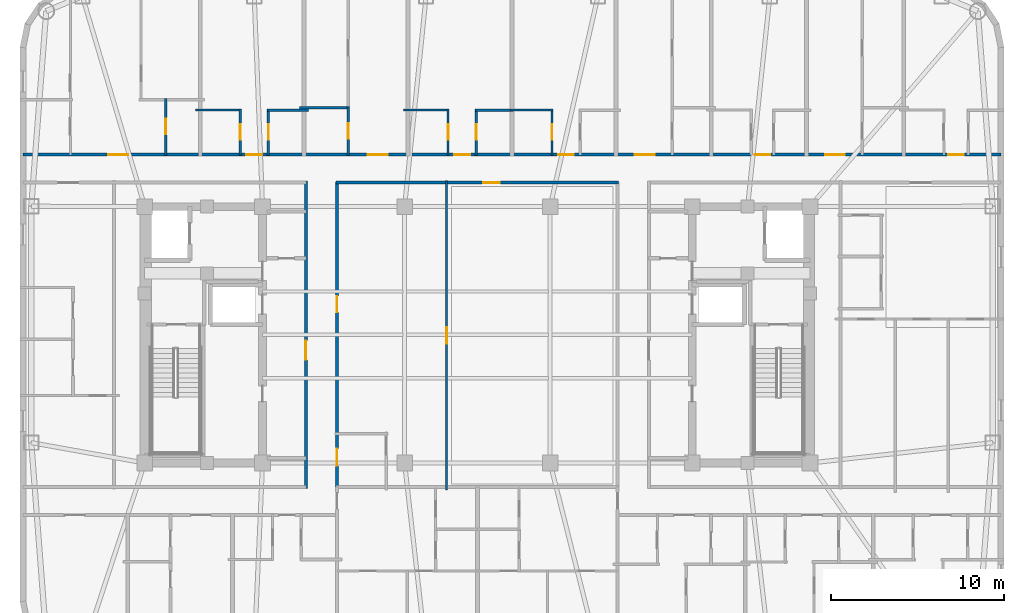
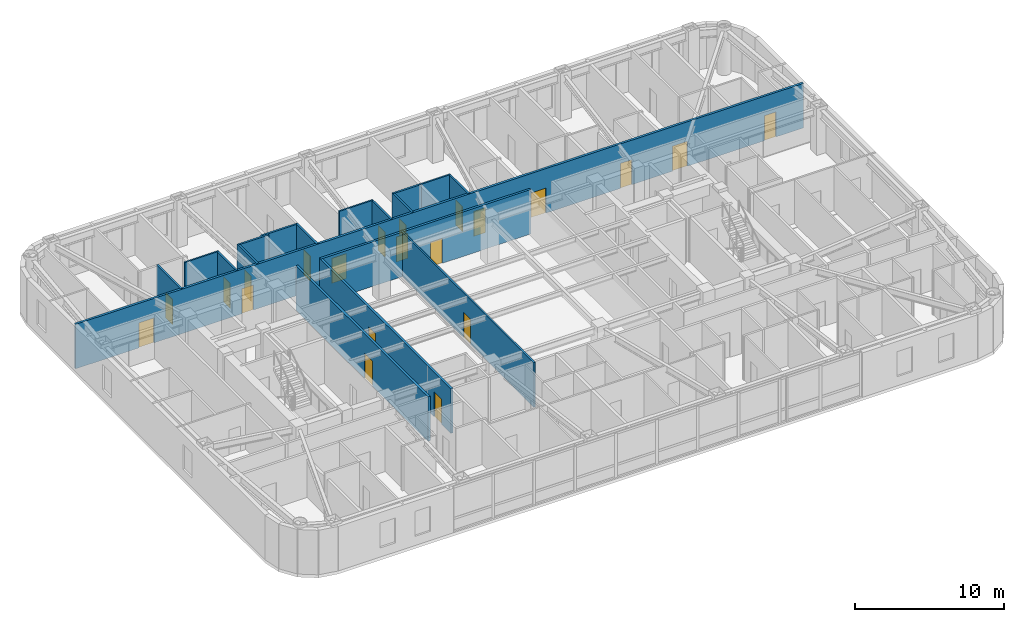
# One storey, part 10 of 16: 21 doors, 18 walls, 21 openings.
"""IFC4 building model written with IfcOpenShell, lengths in metres."""

from ifc_helpers import new_model, si_unit, direction, frame, frame_2d, origin, place, context, subcontext, project, spatial, rectangle, extrude, material, layer, layer_set, type_object, element, fill, save


model = new_model("IFC4")

# Units and contexts
model_context = context("Model", 3, precision=1e-05, world=origin(), true_north=direction((0.0, 1.0)))
body_context = subcontext(model_context, "Body", "Model", "MODEL_VIEW")
ifc_project = project(units=[si_unit("LENGTHUNIT", "METRE"), si_unit("AREAUNIT", "SQUARE_METRE"), si_unit("VOLUMEUNIT", "CUBIC_METRE"), si_unit("PLANEANGLEUNIT", "RADIAN"), si_unit("MASSUNIT", "GRAM", prefix="KILO")], contexts=[model_context])

# Site, building, storey
site_placement = place(None, origin())
site = spatial("IfcSite", under=ifc_project, at=site_placement, CompositionType="ELEMENT")
building_placement = place(site_placement, origin())
building = spatial("IfcBuilding", under=site, at=building_placement, Name="Voryun Gate Residences", CompositionType="ELEMENT")
storey_placement = place(building_placement, frame((0.0, 0.0, 208.0)))
storey = spatial("IfcBuildingStorey", under=building, at=storey_placement, Name="L51", CompositionType="ELEMENT", Elevation=208.0)

# Wall, opening, door
ifc_material_1 = material(Name="Gypsum acoustic fireboard")
ifc_layer_1 = layer(ifc_material_1, 0.179931640625, Name="W_CORR_RATED_180")
ifc_layer_set_1 = layer_set([ifc_layer_1], Name="Gypsum acoustic fireboard")
wall_type_1 = type_object("IfcWallType", Name="W_CORR_RATED_180", PredefinedType="PARTITIONING", material=ifc_layer_set_1)
wall_1_placement = place(storey_placement, frame((-9.89990234375, -8.8798828125, 0.0), z_axis=(0.0, 0.0, 1.0), x_axis=(0.0, 1.0, 0.0)))
wall_1 = element("IfcWall", 1, at=wall_1_placement, inside=storey, type_object=wall_type_1, Name="Partition wall WP-L51-PLBW-FULL", PredefinedType="PARTITIONING", context=body_context, shape_type="SweptSolid", body=[
    extrude(rectangle(XDim=17.759765625, YDim=0.179931640625, at=frame_2d((8.8798828125, 0.0))), origin(), (0.0, 0.0, 1.0), 3.64990234375),
])
opening_1_placement = place(wall_1_placement, frame((7.44189453125, 0.0, 0.0)))
opening_1 = element("IfcOpeningElement", 2, at=opening_1_placement, cuts=wall_1, Name="Opening D-FD60-2", PredefinedType="OPENING", context=body_context, shape_type="SweptSolid", body=[
    extrude(rectangle(XDim=1.10009765625, YDim=2.050048828125, at=frame_2d((0.550048828125, 1.02490234375))), frame((0.0, 0.099853515625, 0.0), z_axis=(0.0, -1.0, 0.0), x_axis=(1.0, 0.0, 0.0)), (0.0, 0.0, 1.0), 0.199951171875),
])
ifc_material_2 = material(Name="Painted steel fire door", Category="steel")
door_type_1 = type_object("IfcDoorType", Name="DR_FD60_FFLOB_1100", OperationType="NOTDEFINED", PredefinedType="DOOR", material=ifc_material_2)
door_1_placement = place(opening_1_placement, origin())
door_1 = element("IfcDoor", 3, at=door_1_placement, inside=storey, type_object=door_type_1, Name="Door DR-L51-PLBW-COR", OperationType="SINGLE_SWING_LEFT", OverallHeight=2.050048828125, OverallWidth=1.10009765625, PredefinedType="DOOR", context=body_context, shape_type="SweptSolid", body=[
    extrude(rectangle(XDim=1.10009765625, YDim=2.050048828125, at=frame_2d((0.550048828125, 1.02490234375))), frame((0.0, 0.02490234375, 0.0), z_axis=(0.0, -1.0, 0.0), x_axis=(1.0, 0.0, 0.0)), (0.0, 0.0, 1.0), 0.050048828125),
])
fill(opening_1, door_1)

wall_2_placement = place(storey_placement, frame((-8.14990234375, 8.7900390625, 0.0), z_axis=(0.0, 0.0, 1.0), x_axis=(1.0, 0.0, 0.0)))
wall_2 = element("IfcWall", 4, at=wall_2_placement, inside=storey, type_object=wall_type_1, Name="Partition wall WP-L51-Z3N", PredefinedType="PARTITIONING", context=body_context, shape_type="SweptSolid", body=[
    extrude(rectangle(XDim=16.2998046875, YDim=0.179931640625, at=frame_2d((8.14990234375, 0.0))), origin(), (0.0, 0.0, 1.0), 3.64990234375),
])
opening_2_placement = place(wall_2_placement, frame((8.489990234375, 0.0, 0.0)))
opening_2 = element("IfcOpeningElement", 5, at=opening_2_placement, cuts=wall_2, Name="Opening D-INT-1", PredefinedType="OPENING", context=body_context, shape_type="SweptSolid", body=[
    extrude(rectangle(XDim=0.949951171875, YDim=2.050048828125, at=frame_2d((0.47509765625, 1.02490234375))), frame((0.0, 0.099853515625, 0.0), z_axis=(0.0, -1.0, 0.0), x_axis=(1.0, 0.0, 0.0)), (0.0, 0.0, 1.0), 0.199951171875),
])
ifc_material_3 = material(Name="Architectural oak veneer")
door_type_2 = type_object("IfcDoorType", Name="DR_INT_ROOM_950", OperationType="NOTDEFINED", PredefinedType="DOOR", material=ifc_material_3)
door_2_placement = place(opening_2_placement, origin())
door_2 = element("IfcDoor", 6, at=door_2_placement, inside=storey, type_object=door_type_2, Name="Door DR-L51-CMIDZ3N", OperationType="SINGLE_SWING_LEFT", OverallHeight=2.050048828125, OverallWidth=0.949951171875, PredefinedType="DOOR", context=body_context, shape_type="SweptSolid", body=[
    extrude(rectangle(XDim=0.949951171875, YDim=2.050048828125, at=frame_2d((0.47509765625, 1.02490234375))), frame((0.0, 0.02490234375, 0.0), z_axis=(0.0, -1.0, 0.0), x_axis=(1.0, 0.0, 0.0)), (0.0, 0.0, 1.0), 0.050048828125),
])
fill(opening_2, door_2)

# Wall, openings, doors
wall_3_placement = place(storey_placement, frame((-8.10009765625, -8.830078125, 0.0), z_axis=(0.0, 0.0, 1.0), x_axis=(0.0, 1.0, 0.0)))
wall_3 = element("IfcWall", 7, at=wall_3_placement, inside=storey, type_object=wall_type_1, Name="Partition wall WP-L51-Z3W", PredefinedType="PARTITIONING", context=body_context, shape_type="SweptSolid", body=[
    extrude(rectangle(XDim=17.66015625, YDim=0.179931640625, at=frame_2d((8.830078125, 0.0))), origin(), (0.0, 0.0, 1.0), 3.64990234375),
])
opening_3_placement = place(wall_3_placement, frame((1.26611328125, 0.0, 0.0)))
opening_3 = element("IfcOpeningElement", 8, at=opening_3_placement, cuts=wall_3, Name="Opening D-AWC-1", PredefinedType="OPENING", context=body_context, shape_type="SweptSolid", body=[
    extrude(rectangle(XDim=1.0, YDim=2.050048828125, at=frame_2d((0.5, 1.02490234375))), frame((0.0, 0.099853515625, 0.0), z_axis=(0.0, -1.0, 0.0), x_axis=(1.0, 0.0, 0.0)), (0.0, 0.0, 1.0), 0.199951171875),
])
opening_4_placement = place(wall_3_placement, frame((10.12109375, 0.0, 0.0)))
opening_4 = element("IfcOpeningElement", 9, at=opening_4_placement, cuts=wall_3, Name="Opening D-INT-1", PredefinedType="OPENING", context=body_context, shape_type="SweptSolid", body=[
    extrude(rectangle(XDim=0.949951171875, YDim=2.050048828125, at=frame_2d((0.47509765625, 1.02490234375))), frame((0.0, 0.099853515625, 0.0), z_axis=(0.0, -1.0, 0.0), x_axis=(1.0, 0.0, 0.0)), (0.0, 0.0, 1.0), 0.199951171875),
])
ifc_material_4 = material(Name="Architectural oak veneer")
door_type_3 = type_object("IfcDoorType", Name="DR_ACC_WC_1000", OperationType="NOTDEFINED", PredefinedType="DOOR", material=ifc_material_4)
door_3_placement = place(opening_3_placement, origin())
door_3 = element("IfcDoor", 10, at=door_3_placement, inside=storey, type_object=door_type_3, Name="Door DR-L51-CMWC-D", OperationType="SINGLE_SWING_LEFT", OverallHeight=2.050048828125, OverallWidth=1.0, PredefinedType="DOOR", context=body_context, shape_type="SweptSolid", body=[
    extrude(rectangle(XDim=1.0, YDim=2.050048828125, at=frame_2d((0.5, 1.02490234375))), frame((0.0, 0.02490234375, 0.0), z_axis=(0.0, -1.0, 0.0), x_axis=(1.0, 0.0, 0.0)), (0.0, 0.0, 1.0), 0.050048828125),
])
fill(opening_3, door_3)
door_4_placement = place(opening_4_placement, origin())
door_4 = element("IfcDoor", 11, at=door_4_placement, inside=storey, type_object=door_type_2, Name="Door DR-L51-CMIDZ3W", OperationType="SINGLE_SWING_RIGHT", OverallHeight=2.050048828125, OverallWidth=0.949951171875, PredefinedType="DOOR", context=body_context, shape_type="SweptSolid", body=[
    extrude(rectangle(XDim=0.949951171875, YDim=2.050048828125, at=frame_2d((0.47509765625, 1.02490234375))), frame((0.0, 0.02490234375, 0.0), z_axis=(0.0, -1.0, 0.0), x_axis=(1.0, 0.0, 0.0)), (0.0, 0.0, 1.0), 0.050048828125),
])
fill(opening_4, door_4)

wall_4_placement = place(storey_placement, frame((-26.22998046875, 10.39990234375, 0.0), z_axis=(0.0, 0.0, 1.0), x_axis=(1.0, 0.0, 0.0)))
wall_4 = element("IfcWall", 12, at=wall_4_placement, inside=storey, type_object=wall_type_1, Name="Partition wall WP-L51-NCORR", PredefinedType="PARTITIONING", context=body_context, shape_type="SweptSolid", body=[
    extrude(rectangle(XDim=56.4599609375, YDim=0.179931640625, at=frame_2d((28.22998046875, 0.0))), origin(), (0.0, 0.0, 1.0), 3.64990234375),
])
opening_5_placement = place(wall_4_placement, frame((4.918701171875, 0.0, 0.0)))
opening_5 = element("IfcOpeningElement", 13, at=opening_5_placement, cuts=wall_4, Name="Opening D-UNIT-1", PredefinedType="OPENING", context=body_context, shape_type="SweptSolid", body=[
    extrude(rectangle(XDim=1.14990234375, YDim=2.050048828125, at=frame_2d((0.574951171875, 1.02490234375))), frame((0.0, 0.099853515625, 0.0), z_axis=(0.0, -1.0, 0.0), x_axis=(1.0, 0.0, 0.0)), (0.0, 0.0, 1.0), 0.199951171875),
])
opening_6_placement = place(wall_4_placement, frame((12.90283203125, 0.0, 0.0)))
opening_6 = element("IfcOpeningElement", 14, at=opening_6_placement, cuts=wall_4, Name="Opening D-INT-2", PredefinedType="OPENING", context=body_context, shape_type="SweptSolid", body=[
    extrude(rectangle(XDim=0.89990234375, YDim=2.050048828125, at=frame_2d((0.449951171875, 1.02490234375))), frame((0.0, 0.099853515625, 0.0), z_axis=(0.0, -1.0, 0.0), x_axis=(1.0, 0.0, 0.0)), (0.0, 0.0, 1.0), 0.199951171875),
])
opening_7_placement = place(wall_4_placement, frame((19.903076171875, 0.0, 0.0)))
opening_7 = element("IfcOpeningElement", 15, at=opening_7_placement, cuts=wall_4, Name="Opening D-UNIT-1", PredefinedType="OPENING", context=body_context, shape_type="SweptSolid", body=[
    extrude(rectangle(XDim=1.14990234375, YDim=2.050048828125, at=frame_2d((0.574951171875, 1.02490234375))), frame((0.0, 0.099853515625, 0.0), z_axis=(0.0, -1.0, 0.0), x_axis=(1.0, 0.0, 0.0)), (0.0, 0.0, 1.0), 0.199951171875),
])
opening_8_placement = place(wall_4_placement, frame((24.90625, 0.0, 0.0)))
opening_8 = element("IfcOpeningElement", 16, at=opening_8_placement, cuts=wall_4, Name="Opening D-INT-2", PredefinedType="OPENING", context=body_context, shape_type="SweptSolid", body=[
    extrude(rectangle(XDim=0.89990234375, YDim=2.050048828125, at=frame_2d((0.449951171875, 1.02490234375))), frame((0.0, 0.099853515625, 0.0), z_axis=(0.0, -1.0, 0.0), x_axis=(1.0, 0.0, 0.0)), (0.0, 0.0, 1.0), 0.199951171875),
])
opening_9_placement = place(wall_4_placement, frame((30.907958984375, 0.0, 0.0)))
opening_9 = element("IfcOpeningElement", 17, at=opening_9_placement, cuts=wall_4, Name="Opening D-INT-2", PredefinedType="OPENING", context=body_context, shape_type="SweptSolid", body=[
    extrude(rectangle(XDim=0.89990234375, YDim=2.050048828125, at=frame_2d((0.449951171875, 1.02490234375))), frame((0.0, 0.099853515625, 0.0), z_axis=(0.0, -1.0, 0.0), x_axis=(1.0, 0.0, 0.0)), (0.0, 0.0, 1.0), 0.199951171875),
])
opening_10_placement = place(wall_4_placement, frame((35.31103515625, 0.0, 0.0)))
opening_10 = element("IfcOpeningElement", 18, at=opening_10_placement, cuts=wall_4, Name="Opening D-UNIT-1", PredefinedType="OPENING", context=body_context, shape_type="SweptSolid", body=[
    extrude(rectangle(XDim=1.14990234375, YDim=2.050048828125, at=frame_2d((0.574951171875, 1.02490234375))), frame((0.0, 0.099853515625, 0.0), z_axis=(0.0, -1.0, 0.0), x_axis=(1.0, 0.0, 0.0)), (0.0, 0.0, 1.0), 0.199951171875),
])
opening_11_placement = place(wall_4_placement, frame((42.239501953125, 0.0, 0.0)))
opening_11 = element("IfcOpeningElement", 19, at=opening_11_placement, cuts=wall_4, Name="Opening D-INT-2", PredefinedType="OPENING", context=body_context, shape_type="SweptSolid", body=[
    extrude(rectangle(XDim=0.89990234375, YDim=2.050048828125, at=frame_2d((0.449951171875, 1.02490234375))), frame((0.0, 0.099853515625, 0.0), z_axis=(0.0, -1.0, 0.0), x_axis=(1.0, 0.0, 0.0)), (0.0, 0.0, 1.0), 0.199951171875),
])
opening_12_placement = place(wall_4_placement, frame((46.298095703125, 0.0, 0.0)))
opening_12 = element("IfcOpeningElement", 20, at=opening_12_placement, cuts=wall_4, Name="Opening D-UNIT-1", PredefinedType="OPENING", context=body_context, shape_type="SweptSolid", body=[
    extrude(rectangle(XDim=1.14990234375, YDim=2.050048828125, at=frame_2d((0.574951171875, 1.02490234375))), frame((0.0, 0.099853515625, 0.0), z_axis=(0.0, -1.0, 0.0), x_axis=(1.0, 0.0, 0.0)), (0.0, 0.0, 1.0), 0.199951171875),
])
opening_13_placement = place(wall_4_placement, frame((53.41845703125, 0.0, 0.0)))
opening_13 = element("IfcOpeningElement", 21, at=opening_13_placement, cuts=wall_4, Name="Opening D-INT-2", PredefinedType="OPENING", context=body_context, shape_type="SweptSolid", body=[
    extrude(rectangle(XDim=0.89990234375, YDim=2.050048828125, at=frame_2d((0.449951171875, 1.02490234375))), frame((0.0, 0.099853515625, 0.0), z_axis=(0.0, -1.0, 0.0), x_axis=(1.0, 0.0, 0.0)), (0.0, 0.0, 1.0), 0.199951171875),
])
ifc_material_5 = material(Name="Architectural oak veneer")
door_type_4 = type_object("IfcDoorType", Name="DR_INT_BATH_900", OperationType="NOTDEFINED", PredefinedType="DOOR", material=ifc_material_5)
door_5_placement = place(opening_6_placement, origin())
door_5 = element("IfcDoor", 22, at=door_5_placement, inside=storey, type_object=door_type_4, Name="Door DR-L51-NENT-2", OperationType="SINGLE_SWING_RIGHT", OverallHeight=2.050048828125, OverallWidth=0.89990234375, PredefinedType="DOOR", context=body_context, shape_type="SweptSolid", body=[
    extrude(rectangle(XDim=0.89990234375, YDim=2.050048828125, at=frame_2d((0.449951171875, 1.02490234375))), frame((0.0, 0.02490234375, 0.0), z_axis=(0.0, -1.0, 0.0), x_axis=(1.0, 0.0, 0.0)), (0.0, 0.0, 1.0), 0.050048828125),
])
fill(opening_6, door_5)
door_6_placement = place(opening_8_placement, origin())
door_6 = element("IfcDoor", 23, at=door_6_placement, inside=storey, type_object=door_type_4, Name="Door DR-L51-NENT-4", OperationType="SINGLE_SWING_RIGHT", OverallHeight=2.050048828125, OverallWidth=0.89990234375, PredefinedType="DOOR", context=body_context, shape_type="SweptSolid", body=[
    extrude(rectangle(XDim=0.89990234375, YDim=2.050048828125, at=frame_2d((0.449951171875, 1.02490234375))), frame((0.0, 0.02490234375, 0.0), z_axis=(0.0, -1.0, 0.0), x_axis=(1.0, 0.0, 0.0)), (0.0, 0.0, 1.0), 0.050048828125),
])
fill(opening_8, door_6)
door_7_placement = place(opening_9_placement, origin())
door_7 = element("IfcDoor", 24, at=door_7_placement, inside=storey, type_object=door_type_4, Name="Door DR-L51-NENT-5", OperationType="SINGLE_SWING_LEFT", OverallHeight=2.050048828125, OverallWidth=0.89990234375, PredefinedType="DOOR", context=body_context, shape_type="SweptSolid", body=[
    extrude(rectangle(XDim=0.89990234375, YDim=2.050048828125, at=frame_2d((0.449951171875, 1.02490234375))), frame((0.0, 0.02490234375, 0.0), z_axis=(0.0, -1.0, 0.0), x_axis=(1.0, 0.0, 0.0)), (0.0, 0.0, 1.0), 0.050048828125),
])
fill(opening_9, door_7)
door_8_placement = place(opening_11_placement, origin())
door_8 = element("IfcDoor", 25, at=door_8_placement, inside=storey, type_object=door_type_4, Name="Door DR-L51-NENT-7", OperationType="SINGLE_SWING_LEFT", OverallHeight=2.050048828125, OverallWidth=0.89990234375, PredefinedType="DOOR", context=body_context, shape_type="SweptSolid", body=[
    extrude(rectangle(XDim=0.89990234375, YDim=2.050048828125, at=frame_2d((0.449951171875, 1.02490234375))), frame((0.0, 0.02490234375, 0.0), z_axis=(0.0, -1.0, 0.0), x_axis=(1.0, 0.0, 0.0)), (0.0, 0.0, 1.0), 0.050048828125),
])
fill(opening_11, door_8)
door_9_placement = place(opening_13_placement, origin())
door_9 = element("IfcDoor", 26, at=door_9_placement, inside=storey, type_object=door_type_4, Name="Door DR-L51-NENT-9", OperationType="SINGLE_SWING_LEFT", OverallHeight=2.050048828125, OverallWidth=0.89990234375, PredefinedType="DOOR", context=body_context, shape_type="SweptSolid", body=[
    extrude(rectangle(XDim=0.89990234375, YDim=2.050048828125, at=frame_2d((0.449951171875, 1.02490234375))), frame((0.0, 0.02490234375, 0.0), z_axis=(0.0, -1.0, 0.0), x_axis=(1.0, 0.0, 0.0)), (0.0, 0.0, 1.0), 0.050048828125),
])
fill(opening_13, door_9)
ifc_material_6 = material(Name="Armoured timber-clad fire door", Category="wood")
door_type_5 = type_object("IfcDoorType", Name="DR_UNIT_ENTRY_1150", OperationType="NOTDEFINED", PredefinedType="DOOR", material=ifc_material_6)
door_10_placement = place(opening_5_placement, origin())
door_10 = element("IfcDoor", 27, at=door_10_placement, inside=storey, type_object=door_type_5, Name="Door DR-L51-NENT-1", OperationType="SINGLE_SWING_LEFT", OverallHeight=2.050048828125, OverallWidth=1.14990234375, PredefinedType="DOOR", context=body_context, shape_type="SweptSolid", body=[
    extrude(rectangle(XDim=1.14990234375, YDim=2.050048828125, at=frame_2d((0.574951171875, 1.02490234375))), frame((0.0, 0.02490234375, 0.0), z_axis=(0.0, -1.0, 0.0), x_axis=(1.0, 0.0, 0.0)), (0.0, 0.0, 1.0), 0.050048828125),
])
fill(opening_5, door_10)
door_11_placement = place(opening_7_placement, origin())
door_11 = element("IfcDoor", 28, at=door_11_placement, inside=storey, type_object=door_type_5, Name="Door DR-L51-NENT-3", OperationType="SINGLE_SWING_LEFT", OverallHeight=2.050048828125, OverallWidth=1.14990234375, PredefinedType="DOOR", context=body_context, shape_type="SweptSolid", body=[
    extrude(rectangle(XDim=1.14990234375, YDim=2.050048828125, at=frame_2d((0.574951171875, 1.02490234375))), frame((0.0, 0.02490234375, 0.0), z_axis=(0.0, -1.0, 0.0), x_axis=(1.0, 0.0, 0.0)), (0.0, 0.0, 1.0), 0.050048828125),
])
fill(opening_7, door_11)
door_12_placement = place(opening_10_placement, origin())
door_12 = element("IfcDoor", 29, at=door_12_placement, inside=storey, type_object=door_type_5, Name="Door DR-L51-NENT-6", OperationType="SINGLE_SWING_RIGHT", OverallHeight=2.050048828125, OverallWidth=1.14990234375, PredefinedType="DOOR", context=body_context, shape_type="SweptSolid", body=[
    extrude(rectangle(XDim=1.14990234375, YDim=2.050048828125, at=frame_2d((0.574951171875, 1.02490234375))), frame((0.0, 0.02490234375, 0.0), z_axis=(0.0, -1.0, 0.0), x_axis=(1.0, 0.0, 0.0)), (0.0, 0.0, 1.0), 0.050048828125),
])
fill(opening_10, door_12)
door_13_placement = place(opening_12_placement, origin())
door_13 = element("IfcDoor", 30, at=door_13_placement, inside=storey, type_object=door_type_5, Name="Door DR-L51-NENT-8", OperationType="SINGLE_SWING_RIGHT", OverallHeight=2.050048828125, OverallWidth=1.14990234375, PredefinedType="DOOR", context=body_context, shape_type="SweptSolid", body=[
    extrude(rectangle(XDim=1.14990234375, YDim=2.050048828125, at=frame_2d((0.574951171875, 1.02490234375))), frame((0.0, 0.02490234375, 0.0), z_axis=(0.0, -1.0, 0.0), x_axis=(1.0, 0.0, 0.0)), (0.0, 0.0, 1.0), 0.050048828125),
])
fill(opening_12, door_13)

# Wall, opening, door
ifc_material_7 = material(Name="Gypsum acoustic partition")
ifc_layer_2 = layer(ifc_material_7, 0.125, Name="W_UNIT_PART_125")
ifc_layer_set_2 = layer_set([ifc_layer_2], Name="Gypsum acoustic partition")
wall_type_2 = type_object("IfcWallType", Name="W_UNIT_PART_125", PredefinedType="PARTITIONING", material=ifc_layer_set_2)
wall_5_placement = place(storey_placement, frame((-1.77294921875, -8.969970703125, 0.0), z_axis=(0.0, 0.0, 1.0), x_axis=(0.0, 1.0, 0.0)))
wall_5 = element("IfcWall", 31, at=wall_5_placement, inside=storey, type_object=wall_type_2, Name="Partition wall WP-L51-MIDX-0", PredefinedType="PARTITIONING", context=body_context, shape_type="SweptSolid", body=[
    extrude(rectangle(XDim=17.889892578125, YDim=0.125, at=frame_2d((8.94482421875, 0.0))), origin(), (0.0, 0.0, 1.0), 3.64990234375),
])
opening_14_placement = place(wall_5_placement, frame((8.469970703125, 0.0, 0.0)))
opening_14 = element("IfcOpeningElement", 32, at=opening_14_placement, cuts=wall_5, Name="Opening D-INT-1", PredefinedType="OPENING", context=body_context, shape_type="SweptSolid", body=[
    extrude(rectangle(XDim=0.949951171875, YDim=2.050048828125, at=frame_2d((0.47509765625, 1.02490234375))), frame((0.0, 0.072509765625, 0.0), z_axis=(0.0, -1.0, 0.0), x_axis=(1.0, 0.0, 0.0)), (0.0, 0.0, 1.0), 0.14501953125),
])
door_14_placement = place(opening_14_placement, origin())
door_14 = element("IfcDoor", 33, at=door_14_placement, inside=storey, type_object=door_type_2, Name="Door DR-L51-MIDX-0", OperationType="SINGLE_SWING_LEFT", OverallHeight=2.050048828125, OverallWidth=0.949951171875, PredefinedType="DOOR", context=body_context, shape_type="SweptSolid", body=[
    extrude(rectangle(XDim=0.949951171875, YDim=2.050048828125, at=frame_2d((0.47509765625, 1.02490234375))), frame((0.0, 0.02490234375, 0.0), z_axis=(0.0, -1.0, 0.0), x_axis=(1.0, 0.0, 0.0)), (0.0, 0.0, 1.0), 0.050048828125),
])
fill(opening_14, door_14)

wall_6_placement = place(storey_placement, frame((-13.68994140625, 10.3798828125, 0.0), z_axis=(0.0, 0.0, 1.0), x_axis=(0.0, 1.0, 0.0)))
wall_6 = element("IfcWall", 34, at=wall_6_placement, inside=storey, type_object=wall_type_2, Name="Partition wall WP-L51-N2-CVK", PredefinedType="PARTITIONING", context=body_context, shape_type="SweptSolid", body=[
    extrude(rectangle(XDim=2.650146484375, YDim=0.125, at=frame_2d((1.3251953125, 0.0))), origin(), (0.0, 0.0, 1.0), 3.64990234375),
])
opening_15_placement = place(wall_6_placement, frame((0.875, 0.0, 0.0)))
opening_15 = element("IfcOpeningElement", 35, at=opening_15_placement, cuts=wall_6, Name="Opening D-INT-2", PredefinedType="OPENING", context=body_context, shape_type="SweptSolid", body=[
    extrude(rectangle(XDim=0.89990234375, YDim=2.050048828125, at=frame_2d((0.449951171875, 1.02490234375))), frame((0.0, 0.072509765625, 0.0), z_axis=(0.0, -1.0, 0.0), x_axis=(1.0, 0.0, 0.0)), (0.0, 0.0, 1.0), 0.14501953125),
])
door_15_placement = place(opening_15_placement, origin())
door_15 = element("IfcDoor", 36, at=door_15_placement, inside=storey, type_object=door_type_4, Name="Door DR-L51-N2-DK", OperationType="SINGLE_SWING_LEFT", OverallHeight=2.050048828125, OverallWidth=0.89990234375, PredefinedType="DOOR", context=body_context, shape_type="SweptSolid", body=[
    extrude(rectangle(XDim=0.89990234375, YDim=2.050048828125, at=frame_2d((0.449951171875, 1.02490234375))), frame((0.0, 0.02490234375, 0.0), z_axis=(0.0, -1.0, 0.0), x_axis=(1.0, 0.0, 0.0)), (0.0, 0.0, 1.0), 0.050048828125),
])
fill(opening_15, door_15)

# Wall
wall_7_placement = place(storey_placement, frame((-16.260009765625, 12.969970703125, 0.0), z_axis=(0.0, 0.0, 1.0), x_axis=(1.0, 0.0, 0.0)))
element("IfcWall", 37, at=wall_7_placement, inside=storey, type_object=wall_type_2, Name="Partition wall WP-L51-N2-CHK", PredefinedType="PARTITIONING", context=body_context, shape_type="SweptSolid", body=[
    extrude(rectangle(XDim=2.630126953125, YDim=0.125, at=frame_2d((1.31494140625, 0.0))), origin(), (0.0, 0.0, 1.0), 3.64990234375),
])

# Wall, opening, door
wall_8_placement = place(storey_placement, frame((-1.68994140625, 10.3798828125, 0.0), z_axis=(0.0, 0.0, 1.0), x_axis=(0.0, 1.0, 0.0)))
wall_8 = element("IfcWall", 38, at=wall_8_placement, inside=storey, type_object=wall_type_2, Name="Partition wall WP-L51-N4-CVK", PredefinedType="PARTITIONING", context=body_context, shape_type="SweptSolid", body=[
    extrude(rectangle(XDim=2.650146484375, YDim=0.125, at=frame_2d((1.3251953125, 0.0))), origin(), (0.0, 0.0, 1.0), 3.64990234375),
])
opening_16_placement = place(wall_8_placement, frame((0.875, 0.0, 0.0)))
opening_16 = element("IfcOpeningElement", 39, at=opening_16_placement, cuts=wall_8, Name="Opening D-INT-2", PredefinedType="OPENING", context=body_context, shape_type="SweptSolid", body=[
    extrude(rectangle(XDim=0.89990234375, YDim=2.050048828125, at=frame_2d((0.449951171875, 1.02490234375))), frame((0.0, 0.072509765625, 0.0), z_axis=(0.0, -1.0, 0.0), x_axis=(1.0, 0.0, 0.0)), (0.0, 0.0, 1.0), 0.14501953125),
])
door_16_placement = place(opening_16_placement, origin())
door_16 = element("IfcDoor", 40, at=door_16_placement, inside=storey, type_object=door_type_4, Name="Door DR-L51-N4-DK", OperationType="SINGLE_SWING_LEFT", OverallHeight=2.050048828125, OverallWidth=0.89990234375, PredefinedType="DOOR", context=body_context, shape_type="SweptSolid", body=[
    extrude(rectangle(XDim=0.89990234375, YDim=2.050048828125, at=frame_2d((0.449951171875, 1.02490234375))), frame((0.0, 0.02490234375, 0.0), z_axis=(0.0, -1.0, 0.0), x_axis=(1.0, 0.0, 0.0)), (0.0, 0.0, 1.0), 0.050048828125),
])
fill(opening_16, door_16)

# Wall
wall_9_placement = place(storey_placement, frame((-4.260009765625, 12.969970703125, 0.0), z_axis=(0.0, 0.0, 1.0), x_axis=(1.0, 0.0, 0.0)))
element("IfcWall", 41, at=wall_9_placement, inside=storey, type_object=wall_type_2, Name="Partition wall WP-L51-N4-CHK", PredefinedType="PARTITIONING", context=body_context, shape_type="SweptSolid", body=[
    extrude(rectangle(XDim=2.630126953125, YDim=0.125, at=frame_2d((1.31494140625, 0.0))), origin(), (0.0, 0.0, 1.0), 3.64990234375),
])

# Wall, opening, door
wall_10_placement = place(storey_placement, frame((4.31005859375, 10.3798828125, 0.0), z_axis=(0.0, 0.0, 1.0), x_axis=(0.0, 1.0, 0.0)))
wall_10 = element("IfcWall", 42, at=wall_10_placement, inside=storey, type_object=wall_type_2, Name="Partition wall WP-L51-N5-CVK", PredefinedType="PARTITIONING", context=body_context, shape_type="SweptSolid", body=[
    extrude(rectangle(XDim=2.650146484375, YDim=0.125, at=frame_2d((1.3251953125, 0.0))), origin(), (0.0, 0.0, 1.0), 3.64990234375),
])
opening_17_placement = place(wall_10_placement, frame((0.875, 0.0, 0.0)))
opening_17 = element("IfcOpeningElement", 43, at=opening_17_placement, cuts=wall_10, Name="Opening D-INT-2", PredefinedType="OPENING", context=body_context, shape_type="SweptSolid", body=[
    extrude(rectangle(XDim=0.89990234375, YDim=2.050048828125, at=frame_2d((0.449951171875, 1.02490234375))), frame((0.0, 0.072509765625, 0.0), z_axis=(0.0, -1.0, 0.0), x_axis=(1.0, 0.0, 0.0)), (0.0, 0.0, 1.0), 0.14501953125),
])
door_17_placement = place(opening_17_placement, origin())
door_17 = element("IfcDoor", 44, at=door_17_placement, inside=storey, type_object=door_type_4, Name="Door DR-L51-N5-DK", OperationType="SINGLE_SWING_LEFT", OverallHeight=2.050048828125, OverallWidth=0.89990234375, PredefinedType="DOOR", context=body_context, shape_type="SweptSolid", body=[
    extrude(rectangle(XDim=0.89990234375, YDim=2.050048828125, at=frame_2d((0.449951171875, 1.02490234375))), frame((0.0, 0.02490234375, 0.0), z_axis=(0.0, -1.0, 0.0), x_axis=(1.0, 0.0, 0.0)), (0.0, 0.0, 1.0), 0.050048828125),
])
fill(opening_17, door_17)

# Wall
wall_11_placement = place(storey_placement, frame((1.925048828125, 12.969970703125, 0.0), z_axis=(0.0, 0.0, 1.0), x_axis=(1.0, 0.0, 0.0)))
element("IfcWall", 45, at=wall_11_placement, inside=storey, type_object=wall_type_2, Name="Partition wall WP-L51-N5-CHK", PredefinedType="PARTITIONING", context=body_context, shape_type="SweptSolid", body=[
    extrude(rectangle(XDim=2.445068359375, YDim=0.125, at=frame_2d((1.22265625, 0.0))), origin(), (0.0, 0.0, 1.0), 3.64990234375),
])

# Wall, opening, door
ifc_material_8 = material(Name="Gypsum moisture-resistant partition")
ifc_layer_3 = layer(ifc_material_8, 0.14990234375, Name="W_WET_PLUMB_150")
ifc_layer_set_3 = layer_set([ifc_layer_3], Name="Gypsum moisture-resistant partition")
wall_type_3 = type_object("IfcWallType", Name="W_WET_PLUMB_150", PredefinedType="PLUMBINGWALL", material=ifc_layer_set_3)
wall_12_placement = place(storey_placement, frame((-17.97998046875, 10.3798828125, 0.0), z_axis=(0.0, 0.0, 1.0), x_axis=(0.0, 1.0, 0.0)))
wall_12 = element("IfcWall", 46, at=wall_12_placement, inside=storey, type_object=wall_type_3, Name="Partition wall WP-L51-N1-IVB", PredefinedType="PLUMBINGWALL", context=body_context, shape_type="SweptSolid", body=[
    extrude(rectangle(XDim=3.27001953125, YDim=0.14990234375, at=frame_2d((1.635009765625, 0.0))), origin(), (0.0, 0.0, 1.0), 3.64990234375),
])
opening_18_placement = place(wall_12_placement, frame((1.18505859375, 0.0, 0.0)))
opening_18 = element("IfcOpeningElement", 47, at=opening_18_placement, cuts=wall_12, Name="Opening D-INT-2", PredefinedType="OPENING", context=body_context, shape_type="SweptSolid", body=[
    extrude(rectangle(XDim=0.89990234375, YDim=2.050048828125, at=frame_2d((0.449951171875, 1.02490234375))), frame((0.0, 0.0849609375, 0.0), z_axis=(0.0, -1.0, 0.0), x_axis=(1.0, 0.0, 0.0)), (0.0, 0.0, 1.0), 0.169921875),
])
door_18_placement = place(opening_18_placement, origin())
door_18 = element("IfcDoor", 48, at=door_18_placement, inside=storey, type_object=door_type_4, Name="Door DR-L51-N1-DB", OperationType="SINGLE_SWING_RIGHT", OverallHeight=2.050048828125, OverallWidth=0.89990234375, PredefinedType="DOOR", context=body_context, shape_type="SweptSolid", body=[
    extrude(rectangle(XDim=0.89990234375, YDim=2.050048828125, at=frame_2d((0.449951171875, 1.02490234375))), frame((0.0, 0.02490234375, 0.0), z_axis=(0.0, -1.0, 0.0), x_axis=(1.0, 0.0, 0.0)), (0.0, 0.0, 1.0), 0.050048828125),
])
fill(opening_18, door_18)

wall_13_placement = place(storey_placement, frame((-12.05908203125, 10.3798828125, 0.0), z_axis=(0.0, 0.0, 1.0), x_axis=(0.0, 1.0, 0.0)))
wall_13 = element("IfcWall", 49, at=wall_13_placement, inside=storey, type_object=wall_type_3, Name="Partition wall WP-L51-N2-CVB", PredefinedType="PLUMBINGWALL", context=body_context, shape_type="SweptSolid", body=[
    extrude(rectangle(XDim=2.650146484375, YDim=0.14990234375, at=frame_2d((1.3251953125, 0.0))), origin(), (0.0, 0.0, 1.0), 3.64990234375),
])
opening_19_placement = place(wall_13_placement, frame((0.875, 0.0, 0.0)))
opening_19 = element("IfcOpeningElement", 50, at=opening_19_placement, cuts=wall_13, Name="Opening D-INT-2", PredefinedType="OPENING", context=body_context, shape_type="SweptSolid", body=[
    extrude(rectangle(XDim=0.89990234375, YDim=2.050048828125, at=frame_2d((0.449951171875, 1.02490234375))), frame((0.0, 0.0849609375, 0.0), z_axis=(0.0, -1.0, 0.0), x_axis=(1.0, 0.0, 0.0)), (0.0, 0.0, 1.0), 0.169921875),
])
door_19_placement = place(opening_19_placement, origin())
door_19 = element("IfcDoor", 51, at=door_19_placement, inside=storey, type_object=door_type_4, Name="Door DR-L51-N2-DB", OperationType="SINGLE_SWING_RIGHT", OverallHeight=2.050048828125, OverallWidth=0.89990234375, PredefinedType="DOOR", context=body_context, shape_type="SweptSolid", body=[
    extrude(rectangle(XDim=0.89990234375, YDim=2.050048828125, at=frame_2d((0.449951171875, 1.02490234375))), frame((0.0, 0.02490234375, 0.0), z_axis=(0.0, -1.0, 0.0), x_axis=(1.0, 0.0, 0.0)), (0.0, 0.0, 1.0), 0.050048828125),
])
fill(opening_19, door_19)

# Walls
wall_14_placement = place(storey_placement, frame((-12.118896484375, 12.969970703125, 0.0), z_axis=(0.0, 0.0, 1.0), x_axis=(1.0, 0.0, 0.0)))
element("IfcWall", 52, at=wall_14_placement, inside=storey, type_object=wall_type_3, Name="Partition wall WP-L51-N2-CHB", PredefinedType="PLUMBINGWALL", context=body_context, shape_type="SweptSolid", body=[
    extrude(rectangle(XDim=2.37890625, YDim=0.14990234375, at=frame_2d((1.189453125, 0.0))), origin(), (0.0, 0.0, 1.0), 3.64990234375),
])
wall_15_placement = place(storey_placement, frame((-10.260009765625, 13.10009765625, 0.0), z_axis=(0.0, 0.0, 1.0), x_axis=(1.0, 0.0, 0.0)))
element("IfcWall", 53, at=wall_15_placement, inside=storey, type_object=wall_type_3, Name="Partition wall WP-L51-N3-SKB", PredefinedType="PLUMBINGWALL", context=body_context, shape_type="SweptSolid", body=[
    extrude(rectangle(XDim=2.89306640625, YDim=0.14990234375, at=frame_2d((1.446533203125, 0.0))), origin(), (0.0, 0.0, 1.0), 3.64990234375),
])

# Wall, opening, door
wall_16_placement = place(storey_placement, frame((-7.447021484375, 10.3798828125, 0.0), z_axis=(0.0, 0.0, 1.0), x_axis=(0.0, 1.0, 0.0)))
wall_16 = element("IfcWall", 54, at=wall_16_placement, inside=storey, type_object=wall_type_3, Name="Partition wall WP-L51-N3-SVT1", PredefinedType="PLUMBINGWALL", context=body_context, shape_type="SweptSolid", body=[
    extrude(rectangle(XDim=2.760009765625, YDim=0.14990234375, at=frame_2d((1.3798828125, 0.0))), origin(), (0.0, 0.0, 1.0), 3.64990234375),
])
opening_20_placement = place(wall_16_placement, frame((0.929931640625, 0.0, 0.0)))
opening_20 = element("IfcOpeningElement", 55, at=opening_20_placement, cuts=wall_16, Name="Opening D-INT-2", PredefinedType="OPENING", context=body_context, shape_type="SweptSolid", body=[
    extrude(rectangle(XDim=0.89990234375, YDim=2.050048828125, at=frame_2d((0.449951171875, 1.02490234375))), frame((0.0, 0.0849609375, 0.0), z_axis=(0.0, -1.0, 0.0), x_axis=(1.0, 0.0, 0.0)), (0.0, 0.0, 1.0), 0.169921875),
])
door_20_placement = place(opening_20_placement, origin())
door_20 = element("IfcDoor", 56, at=door_20_placement, inside=storey, type_object=door_type_4, Name="Door DR-L51-N3-DB", OperationType="SINGLE_SWING_LEFT", OverallHeight=2.050048828125, OverallWidth=0.89990234375, PredefinedType="DOOR", context=body_context, shape_type="SweptSolid", body=[
    extrude(rectangle(XDim=0.89990234375, YDim=2.050048828125, at=frame_2d((0.449951171875, 1.02490234375))), frame((0.0, 0.02490234375, 0.0), z_axis=(0.0, -1.0, 0.0), x_axis=(1.0, 0.0, 0.0)), (0.0, 0.0, 1.0), 0.050048828125),
])
fill(opening_20, door_20)

wall_17_placement = place(storey_placement, frame((-0.05908203125, 10.3798828125, 0.0), z_axis=(0.0, 0.0, 1.0), x_axis=(0.0, 1.0, 0.0)))
wall_17 = element("IfcWall", 57, at=wall_17_placement, inside=storey, type_object=wall_type_3, Name="Partition wall WP-L51-N4-CVB", PredefinedType="PLUMBINGWALL", context=body_context, shape_type="SweptSolid", body=[
    extrude(rectangle(XDim=2.650146484375, YDim=0.14990234375, at=frame_2d((1.3251953125, 0.0))), origin(), (0.0, 0.0, 1.0), 3.64990234375),
])
opening_21_placement = place(wall_17_placement, frame((0.875, 0.0, 0.0)))
opening_21 = element("IfcOpeningElement", 58, at=opening_21_placement, cuts=wall_17, Name="Opening D-INT-2", PredefinedType="OPENING", context=body_context, shape_type="SweptSolid", body=[
    extrude(rectangle(XDim=0.89990234375, YDim=2.050048828125, at=frame_2d((0.449951171875, 1.02490234375))), frame((0.0, 0.0849609375, 0.0), z_axis=(0.0, -1.0, 0.0), x_axis=(1.0, 0.0, 0.0)), (0.0, 0.0, 1.0), 0.169921875),
])
door_21_placement = place(opening_21_placement, origin())
door_21 = element("IfcDoor", 59, at=door_21_placement, inside=storey, type_object=door_type_4, Name="Door DR-L51-N4-DB", OperationType="SINGLE_SWING_RIGHT", OverallHeight=2.050048828125, OverallWidth=0.89990234375, PredefinedType="DOOR", context=body_context, shape_type="SweptSolid", body=[
    extrude(rectangle(XDim=0.89990234375, YDim=2.050048828125, at=frame_2d((0.449951171875, 1.02490234375))), frame((0.0, 0.02490234375, 0.0), z_axis=(0.0, -1.0, 0.0), x_axis=(1.0, 0.0, 0.0)), (0.0, 0.0, 1.0), 0.050048828125),
])
fill(opening_21, door_21)

# Wall
wall_18_placement = place(storey_placement, frame((-0.118896484375, 12.969970703125, 0.0), z_axis=(0.0, 0.0, 1.0), x_axis=(1.0, 0.0, 0.0)))
element("IfcWall", 60, at=wall_18_placement, inside=storey, type_object=wall_type_3, Name="Partition wall WP-L51-N4-CHB", PredefinedType="PLUMBINGWALL", context=body_context, shape_type="SweptSolid", body=[
    extrude(rectangle(XDim=2.19384765625, YDim=0.14990234375, at=frame_2d((1.096923828125, 0.0))), origin(), (0.0, 0.0, 1.0), 3.64990234375),
])

save(model, "model.ifc")
